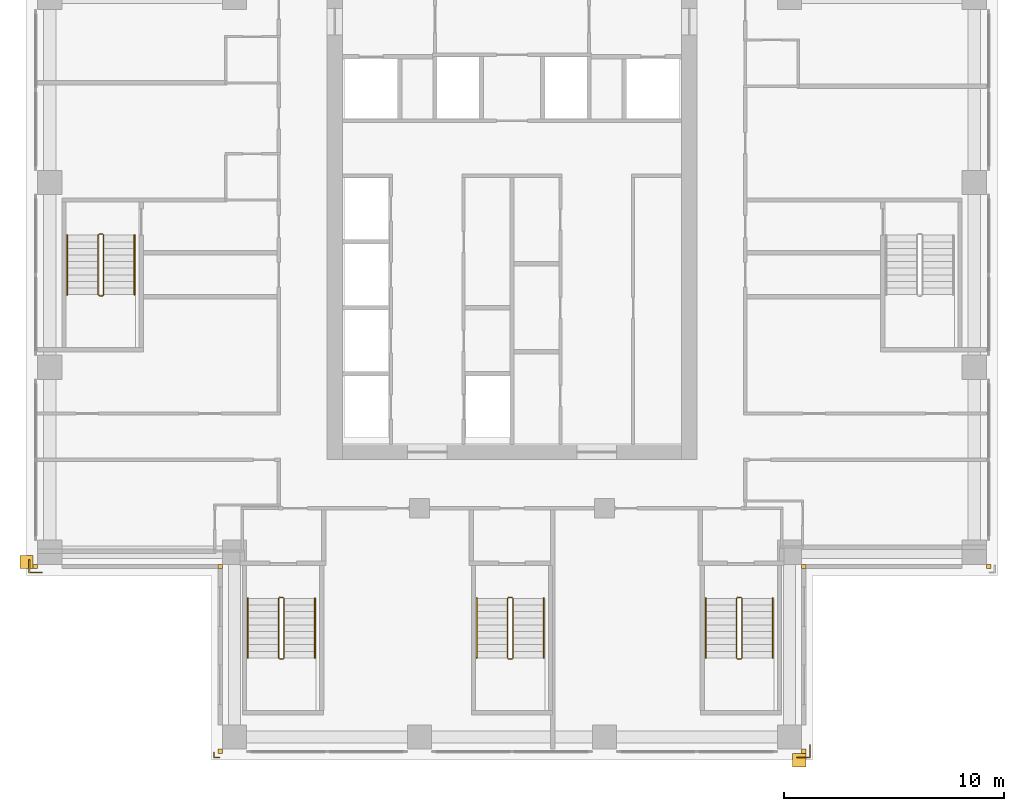
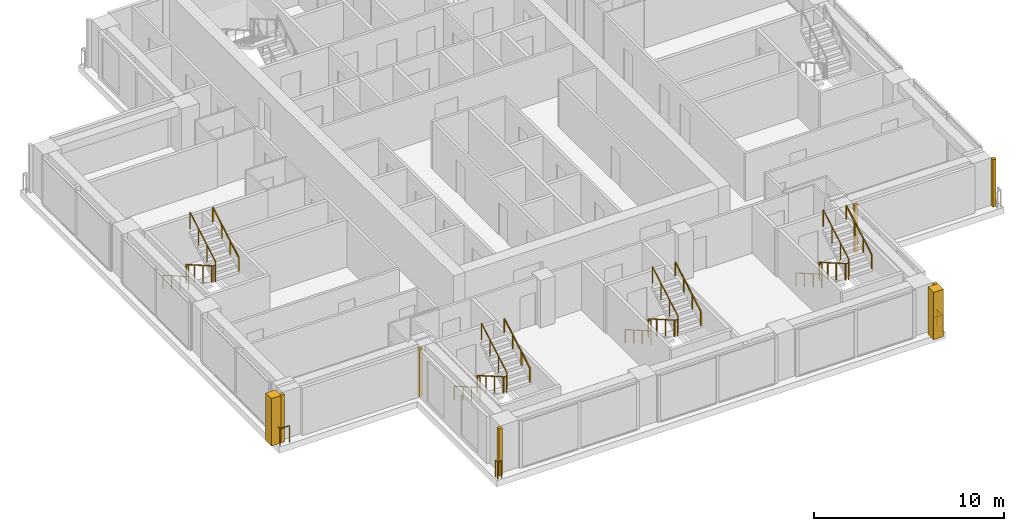
# One storey, part 14 of 16: 15 railings, 8 coverings.
"""IFC4 building model written with IfcOpenShell, lengths in metres."""

from ifc_helpers import new_model, si_unit, direction, frame, origin, origin_2d, place, context, subcontext, project, spatial, polyline, rectangle, outline, extrude, material, type_object, element, save


model = new_model("IFC4")

# Units and contexts
model_context = context("Model", 3, precision=1e-05, world=origin(), true_north=direction((0.0, 1.0)))
body_context = subcontext(model_context, "Body", "Model", "MODEL_VIEW")
ifc_project = project(units=[si_unit("LENGTHUNIT", "METRE"), si_unit("AREAUNIT", "SQUARE_METRE"), si_unit("VOLUMEUNIT", "CUBIC_METRE"), si_unit("PLANEANGLEUNIT", "RADIAN"), si_unit("MASSUNIT", "GRAM", prefix="KILO")], contexts=[model_context])

# Site, building, storey
site_placement = place(None, origin())
site = spatial("IfcSite", under=ifc_project, at=site_placement, CompositionType="ELEMENT")
building_placement = place(site_placement, origin())
building = spatial("IfcBuilding", under=site, at=building_placement, Name="Vermilion Ogive Tower", CompositionType="ELEMENT")
storey_placement = place(building_placement, frame((0.0, 0.0, 160.699951171875)))
storey = spatial("IfcBuildingStorey", under=building, at=storey_placement, Name="L41", CompositionType="ELEMENT", Elevation=160.699951171875)

# Railings
ifc_material_1 = material(Name="Stainless steel", Category="steel")
railing_type_1 = type_object("IfcRailingType", Name="Slab edge guard SG1", PredefinedType="GUARDRAIL", material=ifc_material_1)
railing_1_placement = place(storey_placement, frame((-13.300048828125, -21.929931640625, 0.0)))
element("IfcRailing", 1, at=railing_1_placement, inside=storey, type_object=railing_type_1, Name="L41 slab corner guard", PredefinedType="GUARDRAIL", context=body_context, shape_type="SweptSolid", body=[
    extrude(rectangle(XDim=0.050048828125, YDim=0.050048828125, at=origin_2d()), frame((0.0, 0.0, 1.0751953125), z_axis=(-1.0, 0.0, 0.0), x_axis=(0.0, -1.0, 0.0)), (0.0, 0.0, 1.0), 0.22998046875),
    extrude(rectangle(XDim=0.050048828125, YDim=0.050048828125, at=origin_2d()), frame((-0.22998046875, 0.0, 1.0751953125), z_axis=(0.0, 1.0, 0.0), x_axis=(-1.0, 0.0, 0.0)), (0.0, 0.0, 1.0), 0.22998046875),
    extrude(rectangle(XDim=0.050048828125, YDim=0.050048828125, at=origin_2d()), origin(), (0.0, 0.0, 1.0), 1.050048828125),
    extrude(rectangle(XDim=0.050048828125, YDim=0.050048828125, at=origin_2d()), frame((-0.22998046875, 0.0, 0.0)), (0.0, 0.0, 1.0), 1.050048828125),
    extrude(rectangle(XDim=0.050048828125, YDim=0.050048828125, at=origin_2d()), frame((-0.22998046875, 0.22998046875, 0.0)), (0.0, 0.0, 1.0), 1.050048828125),
])
railing_2_placement = place(storey_placement, frame((12.949951171875, -21.929931640625, 0.0)))
element("IfcRailing", 2, at=railing_2_placement, inside=storey, type_object=railing_type_1, Name="L41 slab corner guard", PredefinedType="GUARDRAIL", context=body_context, shape_type="SweptSolid", body=[
    extrude(rectangle(XDim=0.050048828125, YDim=0.050048828125, at=origin_2d()), frame((0.0, 0.0, 1.0751953125), z_axis=(1.0, 0.0, 0.0), x_axis=(0.0, 1.0, 0.0)), (0.0, 0.0, 1.0), 0.580078125),
    extrude(rectangle(XDim=0.050048828125, YDim=0.050048828125, at=origin_2d()), frame((0.580078125, 0.0, 1.0751953125), z_axis=(0.0, 1.0, 0.0), x_axis=(-1.0, 0.0, 0.0)), (0.0, 0.0, 1.0), 0.579833984375),
    extrude(rectangle(XDim=0.050048828125, YDim=0.050048828125, at=origin_2d()), origin(), (0.0, 0.0, 1.0), 1.050048828125),
    extrude(rectangle(XDim=0.050048828125, YDim=0.050048828125, at=origin_2d()), frame((0.580078125, 0.0, 0.0)), (0.0, 0.0, 1.0), 1.050048828125),
    extrude(rectangle(XDim=0.050048828125, YDim=0.050048828125, at=origin_2d()), frame((0.580078125, 0.579833984375, 0.0)), (0.0, 0.0, 1.0), 1.050048828125),
])
railing_3_placement = place(storey_placement, frame((-21.929931640625, -12.949951171875, 0.0)))
element("IfcRailing", 3, at=railing_3_placement, inside=storey, type_object=railing_type_1, Name="L41 slab corner guard", PredefinedType="GUARDRAIL", context=body_context, shape_type="SweptSolid", body=[
    extrude(rectangle(XDim=0.050048828125, YDim=0.050048828125, at=origin_2d()), frame((0.0, 0.0, 1.0751953125), z_axis=(0.0, -1.0, 0.0), x_axis=(1.0, 0.0, 0.0)), (0.0, 0.0, 1.0), 0.580078125),
    extrude(rectangle(XDim=0.050048828125, YDim=0.050048828125, at=origin_2d()), frame((0.0, -0.580078125, 1.0751953125), z_axis=(1.0, 0.0, 0.0), x_axis=(0.0, 1.0, 0.0)), (0.0, 0.0, 1.0), 0.579833984375),
    extrude(rectangle(XDim=0.050048828125, YDim=0.050048828125, at=origin_2d()), origin(), (0.0, 0.0, 1.0), 1.050048828125),
    extrude(rectangle(XDim=0.050048828125, YDim=0.050048828125, at=origin_2d()), frame((0.0, -0.580078125, 0.0)), (0.0, 0.0, 1.0), 1.050048828125),
    extrude(rectangle(XDim=0.050048828125, YDim=0.050048828125, at=origin_2d()), frame((0.579833984375, -0.580078125, 0.0)), (0.0, 0.0, 1.0), 1.050048828125),
])
ifc_material_2 = material(Name="Steel S355 painted", Category="steel")
railing_type_2 = type_object("IfcRailingType", Name="Stair guard 1100", PredefinedType="GUARDRAIL", material=ifc_material_2)
railing_4_placement = place(storey_placement, frame((-10.39990234375, -14.64990234375, 0.0)))
element("IfcRailing", 4, at=railing_4_placement, inside=storey, type_object=railing_type_2, Name="L41 ST3 stair guard 4", PredefinedType="GUARDRAIL", context=body_context, shape_type="SweptSolid", body=[
    extrude(rectangle(XDim=0.048095703125, YDim=0.048095703125, at=origin_2d()), frame((0.0, 0.0, 1.076171875), z_axis=(-1.0, 0.0, 0.0), x_axis=(0.0, -1.0, 0.0)), (0.0, 0.0, 1.0), 0.150146484375),
    extrude(rectangle(XDim=0.048095703125, YDim=0.048095703125, at=origin_2d()), frame((-0.150146484375, 0.0, 1.076171875), z_axis=(-0.268277960024, -0.268277960024, 0.925231793839), x_axis=(0.707106781187, -0.707106781187, 0.0)), (0.0, 0.0, 1.0), 0.1865234375),
    extrude(rectangle(XDim=0.048095703125, YDim=0.048095703125, at=origin_2d()), frame((-0.2001953125, -0.050048828125, 1.24853515625), z_axis=(0.0, -0.866903762492, 0.498475542607), x_axis=(1.0, 0.0, 0.0)), (0.0, 0.0, 1.0), 3.114501953125),
    extrude(rectangle(XDim=0.048095703125, YDim=0.048095703125, at=origin_2d()), frame((-0.2001953125, -2.75, 2.80126953125), z_axis=(0.707106781187, -0.707106781187, 0.0), x_axis=(0.707106781187, 0.707106781187, 0.0)), (0.0, 0.0, 1.0), 0.07080078125),
    extrude(rectangle(XDim=0.048095703125, YDim=0.048095703125, at=origin_2d()), frame((-0.150146484375, -2.800048828125, 2.80126953125), z_axis=(1.0, 0.0, 0.0), x_axis=(0.0, 1.0, 0.0)), (0.0, 0.0, 1.0), 0.150146484375),
    extrude(rectangle(XDim=0.048095703125, YDim=0.048095703125, at=origin_2d()), frame((0.0, -2.800048828125, 2.80126953125), z_axis=(0.267386790225, 0.268697509785, 0.925368009307), x_axis=(-0.708833529934, 0.705375805398, 0.0)), (0.0, 0.0, 1.0), 0.186279296875),
    extrude(rectangle(XDim=0.048095703125, YDim=0.048095703125, at=origin_2d()), frame((0.0498046875, -2.75, 2.9736328125), z_axis=(0.0, 0.866903762492, 0.498475542607), x_axis=(-1.0, 0.0, 0.0)), (0.0, 0.0, 1.0), 3.114501953125),
    extrude(rectangle(XDim=0.0419921875, YDim=0.0419921875, at=origin_2d()), origin(), (0.0, 0.0, 1.0), 1.052001953125),
    extrude(rectangle(XDim=0.0419921875, YDim=0.0419921875, at=origin_2d()), frame((-0.150146484375, 0.0, 0.0)), (0.0, 0.0, 1.0), 1.052001953125),
    extrude(rectangle(XDim=0.0419921875, YDim=0.0419921875, at=origin_2d()), frame((-0.2001953125, -0.050048828125, 0.172607421875)), (0.0, 0.0, 1.0), 1.052001953125),
    extrude(rectangle(XDim=0.0419921875, YDim=0.0419921875, at=origin_2d()), frame((-0.2001953125, -0.949951171875, 0.690185546875)), (0.0, 0.0, 1.0), 1.052001953125),
    extrude(rectangle(XDim=0.0419921875, YDim=0.0419921875, at=origin_2d()), frame((-0.2001953125, -1.85009765625, 1.20751953125)), (0.0, 0.0, 1.0), 1.052001953125),
    extrude(rectangle(XDim=0.0419921875, YDim=0.0419921875, at=origin_2d()), frame((-0.2001953125, -2.75, 1.72509765625)), (0.0, 0.0, 1.0), 1.052001953125),
    extrude(rectangle(XDim=0.0419921875, YDim=0.0419921875, at=origin_2d()), frame((-0.150146484375, -2.800048828125, 1.72509765625)), (0.0, 0.0, 1.0), 1.052001953125),
    extrude(rectangle(XDim=0.0419921875, YDim=0.0419921875, at=origin_2d()), frame((0.0, -2.800048828125, 1.72509765625)), (0.0, 0.0, 1.0), 1.052001953125),
    extrude(rectangle(XDim=0.0419921875, YDim=0.0419921875, at=origin_2d()), frame((0.0498046875, -2.75, 1.8974609375)), (0.0, 0.0, 1.0), 1.052001953125),
    extrude(rectangle(XDim=0.0419921875, YDim=0.0419921875, at=origin_2d()), frame((0.0498046875, -1.85009765625, 2.4150390625)), (0.0, 0.0, 1.0), 1.052001953125),
    extrude(rectangle(XDim=0.0419921875, YDim=0.0419921875, at=origin_2d()), frame((0.0498046875, -0.949951171875, 2.932373046875)), (0.0, 0.0, 1.0), 1.052001953125),
    extrude(rectangle(XDim=0.0419921875, YDim=0.0419921875, at=origin_2d()), frame((0.0498046875, -0.050048828125, 3.449951171875)), (0.0, 0.0, 1.0), 1.052001953125),
])
railing_5_placement = place(storey_placement, frame((0.0, -14.64990234375, 0.0)))
element("IfcRailing", 5, at=railing_5_placement, inside=storey, type_object=railing_type_2, Name="L41 ST4 stair guard 4", PredefinedType="GUARDRAIL", context=body_context, shape_type="SweptSolid", body=[
    extrude(rectangle(XDim=0.048095703125, YDim=0.048095703125, at=origin_2d()), frame((0.0, 0.0, 1.076171875), z_axis=(-1.0, 0.0, 0.0), x_axis=(0.0, -1.0, 0.0)), (0.0, 0.0, 1.0), 0.14990234375),
    extrude(rectangle(XDim=0.048095703125, YDim=0.048095703125, at=origin_2d()), frame((-0.14990234375, 0.0, 1.076171875), z_axis=(-0.268277960024, -0.268277960024, 0.925231793839), x_axis=(0.707106781187, -0.707106781187, 0.0)), (0.0, 0.0, 1.0), 0.1865234375),
    extrude(rectangle(XDim=0.048095703125, YDim=0.048095703125, at=origin_2d()), frame((-0.199951171875, -0.050048828125, 1.24853515625), z_axis=(0.0, -0.866903762492, 0.498475542607), x_axis=(1.0, 0.0, 0.0)), (0.0, 0.0, 1.0), 3.114501953125),
    extrude(rectangle(XDim=0.048095703125, YDim=0.048095703125, at=origin_2d()), frame((-0.199951171875, -2.75, 2.80126953125), z_axis=(0.707106781187, -0.707106781187, 0.0), x_axis=(0.707106781187, 0.707106781187, 0.0)), (0.0, 0.0, 1.0), 0.07080078125),
    extrude(rectangle(XDim=0.048095703125, YDim=0.048095703125, at=origin_2d()), frame((-0.14990234375, -2.800048828125, 2.80126953125), z_axis=(1.0, 0.0, 0.0), x_axis=(0.0, 1.0, 0.0)), (0.0, 0.0, 1.0), 0.14990234375),
    extrude(rectangle(XDim=0.048095703125, YDim=0.048095703125, at=origin_2d()), frame((0.0, -2.800048828125, 2.80126953125), z_axis=(0.268603158521, 0.268603158521, 0.925043072762), x_axis=(-0.707106781187, 0.707106781187, 0.0)), (0.0, 0.0, 1.0), 0.186279296875),
    extrude(rectangle(XDim=0.048095703125, YDim=0.048095703125, at=origin_2d()), frame((0.050048828125, -2.75, 2.9736328125), z_axis=(0.0, 0.866903762492, 0.498475542607), x_axis=(-1.0, 0.0, 0.0)), (0.0, 0.0, 1.0), 3.114501953125),
    extrude(rectangle(XDim=0.0419921875, YDim=0.0419921875, at=origin_2d()), origin(), (0.0, 0.0, 1.0), 1.052001953125),
    extrude(rectangle(XDim=0.0419921875, YDim=0.0419921875, at=origin_2d()), frame((-0.14990234375, 0.0, 0.0)), (0.0, 0.0, 1.0), 1.052001953125),
    extrude(rectangle(XDim=0.0419921875, YDim=0.0419921875, at=origin_2d()), frame((-0.199951171875, -0.050048828125, 0.172607421875)), (0.0, 0.0, 1.0), 1.052001953125),
    extrude(rectangle(XDim=0.0419921875, YDim=0.0419921875, at=origin_2d()), frame((-0.199951171875, -0.949951171875, 0.690185546875)), (0.0, 0.0, 1.0), 1.052001953125),
    extrude(rectangle(XDim=0.0419921875, YDim=0.0419921875, at=origin_2d()), frame((-0.199951171875, -1.85009765625, 1.20751953125)), (0.0, 0.0, 1.0), 1.052001953125),
    extrude(rectangle(XDim=0.0419921875, YDim=0.0419921875, at=origin_2d()), frame((-0.199951171875, -2.75, 1.72509765625)), (0.0, 0.0, 1.0), 1.052001953125),
    extrude(rectangle(XDim=0.0419921875, YDim=0.0419921875, at=origin_2d()), frame((-0.14990234375, -2.800048828125, 1.72509765625)), (0.0, 0.0, 1.0), 1.052001953125),
    extrude(rectangle(XDim=0.0419921875, YDim=0.0419921875, at=origin_2d()), frame((0.0, -2.800048828125, 1.72509765625)), (0.0, 0.0, 1.0), 1.052001953125),
    extrude(rectangle(XDim=0.0419921875, YDim=0.0419921875, at=origin_2d()), frame((0.050048828125, -2.75, 1.8974609375)), (0.0, 0.0, 1.0), 1.052001953125),
    extrude(rectangle(XDim=0.0419921875, YDim=0.0419921875, at=origin_2d()), frame((0.050048828125, -1.85009765625, 2.4150390625)), (0.0, 0.0, 1.0), 1.052001953125),
    extrude(rectangle(XDim=0.0419921875, YDim=0.0419921875, at=origin_2d()), frame((0.050048828125, -0.949951171875, 2.932373046875)), (0.0, 0.0, 1.0), 1.052001953125),
    extrude(rectangle(XDim=0.0419921875, YDim=0.0419921875, at=origin_2d()), frame((0.050048828125, -0.050048828125, 3.449951171875)), (0.0, 0.0, 1.0), 1.052001953125),
])
railing_6_placement = place(storey_placement, frame((10.39990234375, -14.64990234375, 0.0)))
element("IfcRailing", 6, at=railing_6_placement, inside=storey, type_object=railing_type_2, Name="L41 ST5 stair guard 4", PredefinedType="GUARDRAIL", context=body_context, shape_type="SweptSolid", body=[
    extrude(rectangle(XDim=0.048095703125, YDim=0.048095703125, at=origin_2d()), frame((0.0, 0.0, 1.076171875), z_axis=(-1.0, 0.0, 0.0), x_axis=(0.0, -1.0, 0.0)), (0.0, 0.0, 1.0), 0.14990234375),
    extrude(rectangle(XDim=0.048095703125, YDim=0.048095703125, at=origin_2d()), frame((-0.14990234375, 0.0, 1.076171875), z_axis=(-0.268277960024, -0.268277960024, 0.925231793839), x_axis=(0.707106781187, -0.707106781187, 0.0)), (0.0, 0.0, 1.0), 0.1865234375),
    extrude(rectangle(XDim=0.048095703125, YDim=0.048095703125, at=origin_2d()), frame((-0.199951171875, -0.050048828125, 1.24853515625), z_axis=(0.0, -0.866903762492, 0.498475542607), x_axis=(1.0, 0.0, 0.0)), (0.0, 0.0, 1.0), 3.114501953125),
    extrude(rectangle(XDim=0.048095703125, YDim=0.048095703125, at=origin_2d()), frame((-0.199951171875, -2.75, 2.80126953125), z_axis=(0.707106781187, -0.707106781187, 0.0), x_axis=(0.707106781187, 0.707106781187, 0.0)), (0.0, 0.0, 1.0), 0.07080078125),
    extrude(rectangle(XDim=0.048095703125, YDim=0.048095703125, at=origin_2d()), frame((-0.14990234375, -2.800048828125, 2.80126953125), z_axis=(1.0, 0.0, 0.0), x_axis=(0.0, 1.0, 0.0)), (0.0, 0.0, 1.0), 0.14990234375),
    extrude(rectangle(XDim=0.048095703125, YDim=0.048095703125, at=origin_2d()), frame((0.0, -2.800048828125, 2.80126953125), z_axis=(0.268603158521, 0.268603158521, 0.925043072762), x_axis=(-0.707106781187, 0.707106781187, 0.0)), (0.0, 0.0, 1.0), 0.186279296875),
    extrude(rectangle(XDim=0.048095703125, YDim=0.048095703125, at=origin_2d()), frame((0.050048828125, -2.75, 2.9736328125), z_axis=(0.0, 0.866903762492, 0.498475542607), x_axis=(-1.0, 0.0, 0.0)), (0.0, 0.0, 1.0), 3.114501953125),
    extrude(rectangle(XDim=0.0419921875, YDim=0.0419921875, at=origin_2d()), origin(), (0.0, 0.0, 1.0), 1.052001953125),
    extrude(rectangle(XDim=0.0419921875, YDim=0.0419921875, at=origin_2d()), frame((-0.14990234375, 0.0, 0.0)), (0.0, 0.0, 1.0), 1.052001953125),
    extrude(rectangle(XDim=0.0419921875, YDim=0.0419921875, at=origin_2d()), frame((-0.199951171875, -0.050048828125, 0.172607421875)), (0.0, 0.0, 1.0), 1.052001953125),
    extrude(rectangle(XDim=0.0419921875, YDim=0.0419921875, at=origin_2d()), frame((-0.199951171875, -0.949951171875, 0.690185546875)), (0.0, 0.0, 1.0), 1.052001953125),
    extrude(rectangle(XDim=0.0419921875, YDim=0.0419921875, at=origin_2d()), frame((-0.199951171875, -1.85009765625, 1.20751953125)), (0.0, 0.0, 1.0), 1.052001953125),
    extrude(rectangle(XDim=0.0419921875, YDim=0.0419921875, at=origin_2d()), frame((-0.199951171875, -2.75, 1.72509765625)), (0.0, 0.0, 1.0), 1.052001953125),
    extrude(rectangle(XDim=0.0419921875, YDim=0.0419921875, at=origin_2d()), frame((-0.14990234375, -2.800048828125, 1.72509765625)), (0.0, 0.0, 1.0), 1.052001953125),
    extrude(rectangle(XDim=0.0419921875, YDim=0.0419921875, at=origin_2d()), frame((0.0, -2.800048828125, 1.72509765625)), (0.0, 0.0, 1.0), 1.052001953125),
    extrude(rectangle(XDim=0.0419921875, YDim=0.0419921875, at=origin_2d()), frame((0.050048828125, -2.75, 1.8974609375)), (0.0, 0.0, 1.0), 1.052001953125),
    extrude(rectangle(XDim=0.0419921875, YDim=0.0419921875, at=origin_2d()), frame((0.050048828125, -1.85009765625, 2.4150390625)), (0.0, 0.0, 1.0), 1.052001953125),
    extrude(rectangle(XDim=0.0419921875, YDim=0.0419921875, at=origin_2d()), frame((0.050048828125, -0.949951171875, 2.932373046875)), (0.0, 0.0, 1.0), 1.052001953125),
    extrude(rectangle(XDim=0.0419921875, YDim=0.0419921875, at=origin_2d()), frame((0.050048828125, -0.050048828125, 3.449951171875)), (0.0, 0.0, 1.0), 1.052001953125),
])
railing_7_placement = place(storey_placement, frame((-18.60009765625, 1.85009765625, 0.0)))
element("IfcRailing", 7, at=railing_7_placement, inside=storey, type_object=railing_type_2, Name="L41 ST9 stair guard 4", PredefinedType="GUARDRAIL", context=body_context, shape_type="SweptSolid", body=[
    extrude(rectangle(XDim=0.048095703125, YDim=0.048095703125, at=origin_2d()), frame((0.0, 0.0, 1.076171875), z_axis=(-1.0, 0.0, 0.0), x_axis=(0.0, -1.0, 0.0)), (0.0, 0.0, 1.0), 0.14990234375),
    extrude(rectangle(XDim=0.048095703125, YDim=0.048095703125, at=origin_2d()), frame((-0.14990234375, 0.0, 1.076171875), z_axis=(-0.268277960024, -0.268277960024, 0.925231793839), x_axis=(0.707106781187, -0.707106781187, 0.0)), (0.0, 0.0, 1.0), 0.1865234375),
    extrude(rectangle(XDim=0.048095703125, YDim=0.048095703125, at=origin_2d()), frame((-0.199951171875, -0.050048828125, 1.24853515625), z_axis=(0.0, -0.866903762492, 0.498475542607), x_axis=(1.0, 0.0, 0.0)), (0.0, 0.0, 1.0), 3.114501953125),
    extrude(rectangle(XDim=0.048095703125, YDim=0.048095703125, at=origin_2d()), frame((-0.199951171875, -2.75, 2.80126953125), z_axis=(0.707106781187, -0.707106781187, 0.0), x_axis=(0.707106781187, 0.707106781187, 0.0)), (0.0, 0.0, 1.0), 0.07080078125),
    extrude(rectangle(XDim=0.048095703125, YDim=0.048095703125, at=origin_2d()), frame((-0.14990234375, -2.800048828125, 2.80126953125), z_axis=(1.0, 0.0, 0.0), x_axis=(0.0, 1.0, 0.0)), (0.0, 0.0, 1.0), 0.14990234375),
    extrude(rectangle(XDim=0.048095703125, YDim=0.048095703125, at=origin_2d()), frame((0.0, -2.800048828125, 2.80126953125), z_axis=(0.268603158521, 0.268603158521, 0.925043072762), x_axis=(-0.707106781187, 0.707106781187, 0.0)), (0.0, 0.0, 1.0), 0.186279296875),
    extrude(rectangle(XDim=0.048095703125, YDim=0.048095703125, at=origin_2d()), frame((0.050048828125, -2.75, 2.9736328125), z_axis=(0.0, 0.866903762492, 0.498475542607), x_axis=(-1.0, 0.0, 0.0)), (0.0, 0.0, 1.0), 3.114501953125),
    extrude(rectangle(XDim=0.0419921875, YDim=0.0419921875, at=origin_2d()), origin(), (0.0, 0.0, 1.0), 1.052001953125),
    extrude(rectangle(XDim=0.0419921875, YDim=0.0419921875, at=origin_2d()), frame((-0.14990234375, 0.0, 0.0)), (0.0, 0.0, 1.0), 1.052001953125),
    extrude(rectangle(XDim=0.0419921875, YDim=0.0419921875, at=origin_2d()), frame((-0.199951171875, -0.050048828125, 0.172607421875)), (0.0, 0.0, 1.0), 1.052001953125),
    extrude(rectangle(XDim=0.0419921875, YDim=0.0419921875, at=origin_2d()), frame((-0.199951171875, -0.949951171875, 0.690185546875)), (0.0, 0.0, 1.0), 1.052001953125),
    extrude(rectangle(XDim=0.0419921875, YDim=0.0419921875, at=origin_2d()), frame((-0.199951171875, -1.85009765625, 1.20751953125)), (0.0, 0.0, 1.0), 1.052001953125),
    extrude(rectangle(XDim=0.0419921875, YDim=0.0419921875, at=origin_2d()), frame((-0.199951171875, -2.75, 1.72509765625)), (0.0, 0.0, 1.0), 1.052001953125),
    extrude(rectangle(XDim=0.0419921875, YDim=0.0419921875, at=origin_2d()), frame((-0.14990234375, -2.800048828125, 1.72509765625)), (0.0, 0.0, 1.0), 1.052001953125),
    extrude(rectangle(XDim=0.0419921875, YDim=0.0419921875, at=origin_2d()), frame((0.0, -2.800048828125, 1.72509765625)), (0.0, 0.0, 1.0), 1.052001953125),
    extrude(rectangle(XDim=0.0419921875, YDim=0.0419921875, at=origin_2d()), frame((0.050048828125, -2.75, 1.8974609375)), (0.0, 0.0, 1.0), 1.052001953125),
    extrude(rectangle(XDim=0.0419921875, YDim=0.0419921875, at=origin_2d()), frame((0.050048828125, -1.85009765625, 2.4150390625)), (0.0, 0.0, 1.0), 1.052001953125),
    extrude(rectangle(XDim=0.0419921875, YDim=0.0419921875, at=origin_2d()), frame((0.050048828125, -0.949951171875, 2.932373046875)), (0.0, 0.0, 1.0), 1.052001953125),
    extrude(rectangle(XDim=0.0419921875, YDim=0.0419921875, at=origin_2d()), frame((0.050048828125, -0.050048828125, 3.449951171875)), (0.0, 0.0, 1.0), 1.052001953125),
])
ifc_material_3 = material(Name="Stainless steel", Category="steel")
railing_type_3 = type_object("IfcRailingType", Name="Stair handrail 900", PredefinedType="HANDRAIL", material=ifc_material_3)
railing_8_placement = place(storey_placement, frame((-12.0, -14.699951171875, 0.172607421875)))
element("IfcRailing", 8, at=railing_8_placement, inside=storey, type_object=railing_type_3, Name="L41 ST3 stair handrail 1", PredefinedType="HANDRAIL", context=body_context, shape_type="SweptSolid", body=[
    extrude(rectangle(XDim=0.048095703125, YDim=0.048095703125, at=origin_2d()), frame((0.0, 0.0, 0.8759765625), z_axis=(0.0, -0.866903762492, 0.498475542607), x_axis=(1.0, 0.0, 0.0)), (0.0, 0.0, 1.0), 3.114501953125),
    extrude(rectangle(XDim=0.0419921875, YDim=0.0419921875, at=origin_2d()), origin(), (0.0, 0.0, 1.0), 0.851806640625),
    extrude(rectangle(XDim=0.0419921875, YDim=0.0419921875, at=origin_2d()), frame((0.0, -0.89990234375, 0.517578125)), (0.0, 0.0, 1.0), 0.851806640625),
    extrude(rectangle(XDim=0.0419921875, YDim=0.0419921875, at=origin_2d()), frame((0.0, -1.800048828125, 1.034912109375)), (0.0, 0.0, 1.0), 0.851806640625),
    extrude(rectangle(XDim=0.0419921875, YDim=0.0419921875, at=origin_2d()), frame((0.0, -2.699951171875, 1.552490234375)), (0.0, 0.0, 1.0), 0.851806640625),
])
railing_9_placement = place(storey_placement, frame((-8.949951171875, -17.39990234375, 1.8974609375)))
element("IfcRailing", 9, at=railing_9_placement, inside=storey, type_object=railing_type_3, Name="L41 ST3 stair handrail 2", PredefinedType="HANDRAIL", context=body_context, shape_type="SweptSolid", body=[
    extrude(rectangle(XDim=0.048095703125, YDim=0.048095703125, at=origin_2d()), frame((0.0, 0.0, 0.8759765625), z_axis=(0.0, 0.866903762492, 0.498475542607), x_axis=(-1.0, 0.0, 0.0)), (0.0, 0.0, 1.0), 3.114501953125),
    extrude(rectangle(XDim=0.0419921875, YDim=0.0419921875, at=origin_2d()), origin(), (0.0, 0.0, 1.0), 0.851806640625),
    extrude(rectangle(XDim=0.0419921875, YDim=0.0419921875, at=origin_2d()), frame((0.0, 0.89990234375, 0.517578125)), (0.0, 0.0, 1.0), 0.851806640625),
    extrude(rectangle(XDim=0.0419921875, YDim=0.0419921875, at=origin_2d()), frame((0.0, 1.800048828125, 1.034912109375)), (0.0, 0.0, 1.0), 0.851806640625),
    extrude(rectangle(XDim=0.0419921875, YDim=0.0419921875, at=origin_2d()), frame((0.0, 2.699951171875, 1.552490234375)), (0.0, 0.0, 1.0), 0.851806640625),
])
railing_10_placement = place(storey_placement, frame((-1.60009765625, -14.699951171875, 0.172607421875)))
element("IfcRailing", 10, at=railing_10_placement, inside=storey, type_object=railing_type_3, Name="L41 ST4 stair handrail 1", PredefinedType="HANDRAIL", context=body_context, shape_type="SweptSolid", body=[
    extrude(rectangle(XDim=0.048095703125, YDim=0.048095703125, at=origin_2d()), frame((0.0, 0.0, 0.8759765625), z_axis=(0.0, -0.866903762492, 0.498475542607), x_axis=(1.0, 0.0, 0.0)), (0.0, 0.0, 1.0), 3.114501953125),
    extrude(rectangle(XDim=0.0419921875, YDim=0.0419921875, at=origin_2d()), origin(), (0.0, 0.0, 1.0), 0.851806640625),
    extrude(rectangle(XDim=0.0419921875, YDim=0.0419921875, at=origin_2d()), frame((0.0, -0.89990234375, 0.517578125)), (0.0, 0.0, 1.0), 0.851806640625),
    extrude(rectangle(XDim=0.0419921875, YDim=0.0419921875, at=origin_2d()), frame((0.0, -1.800048828125, 1.034912109375)), (0.0, 0.0, 1.0), 0.851806640625),
    extrude(rectangle(XDim=0.0419921875, YDim=0.0419921875, at=origin_2d()), frame((0.0, -2.699951171875, 1.552490234375)), (0.0, 0.0, 1.0), 0.851806640625),
])
railing_11_placement = place(storey_placement, frame((1.449951171875, -17.39990234375, 1.8974609375)))
element("IfcRailing", 11, at=railing_11_placement, inside=storey, type_object=railing_type_3, Name="L41 ST4 stair handrail 2", PredefinedType="HANDRAIL", context=body_context, shape_type="SweptSolid", body=[
    extrude(rectangle(XDim=0.048095703125, YDim=0.048095703125, at=origin_2d()), frame((0.0, 0.0, 0.8759765625), z_axis=(0.0, 0.866903762492, 0.498475542607), x_axis=(-1.0, 0.0, 0.0)), (0.0, 0.0, 1.0), 3.114501953125),
    extrude(rectangle(XDim=0.0419921875, YDim=0.0419921875, at=origin_2d()), origin(), (0.0, 0.0, 1.0), 0.851806640625),
    extrude(rectangle(XDim=0.0419921875, YDim=0.0419921875, at=origin_2d()), frame((0.0, 0.89990234375, 0.517578125)), (0.0, 0.0, 1.0), 0.851806640625),
    extrude(rectangle(XDim=0.0419921875, YDim=0.0419921875, at=origin_2d()), frame((0.0, 1.800048828125, 1.034912109375)), (0.0, 0.0, 1.0), 0.851806640625),
    extrude(rectangle(XDim=0.0419921875, YDim=0.0419921875, at=origin_2d()), frame((0.0, 2.699951171875, 1.552490234375)), (0.0, 0.0, 1.0), 0.851806640625),
])
railing_12_placement = place(storey_placement, frame((8.800048828125, -14.699951171875, 0.172607421875)))
element("IfcRailing", 12, at=railing_12_placement, inside=storey, type_object=railing_type_3, Name="L41 ST5 stair handrail 1", PredefinedType="HANDRAIL", context=body_context, shape_type="SweptSolid", body=[
    extrude(rectangle(XDim=0.048095703125, YDim=0.048095703125, at=origin_2d()), frame((0.0, 0.0, 0.8759765625), z_axis=(0.0, -0.866903762492, 0.498475542607), x_axis=(1.0, 0.0, 0.0)), (0.0, 0.0, 1.0), 3.114501953125),
    extrude(rectangle(XDim=0.0419921875, YDim=0.0419921875, at=origin_2d()), origin(), (0.0, 0.0, 1.0), 0.851806640625),
    extrude(rectangle(XDim=0.0419921875, YDim=0.0419921875, at=origin_2d()), frame((0.0, -0.89990234375, 0.517578125)), (0.0, 0.0, 1.0), 0.851806640625),
    extrude(rectangle(XDim=0.0419921875, YDim=0.0419921875, at=origin_2d()), frame((0.0, -1.800048828125, 1.034912109375)), (0.0, 0.0, 1.0), 0.851806640625),
    extrude(rectangle(XDim=0.0419921875, YDim=0.0419921875, at=origin_2d()), frame((0.0, -2.699951171875, 1.552490234375)), (0.0, 0.0, 1.0), 0.851806640625),
])
railing_13_placement = place(storey_placement, frame((11.85009765625, -17.39990234375, 1.8974609375)))
element("IfcRailing", 13, at=railing_13_placement, inside=storey, type_object=railing_type_3, Name="L41 ST5 stair handrail 2", PredefinedType="HANDRAIL", context=body_context, shape_type="SweptSolid", body=[
    extrude(rectangle(XDim=0.048095703125, YDim=0.048095703125, at=origin_2d()), frame((0.0, 0.0, 0.8759765625), z_axis=(0.0, 0.866903762492, 0.498475542607), x_axis=(-1.0, 0.0, 0.0)), (0.0, 0.0, 1.0), 3.114501953125),
    extrude(rectangle(XDim=0.0419921875, YDim=0.0419921875, at=origin_2d()), origin(), (0.0, 0.0, 1.0), 0.851806640625),
    extrude(rectangle(XDim=0.0419921875, YDim=0.0419921875, at=origin_2d()), frame((0.0, 0.89990234375, 0.517578125)), (0.0, 0.0, 1.0), 0.851806640625),
    extrude(rectangle(XDim=0.0419921875, YDim=0.0419921875, at=origin_2d()), frame((0.0, 1.800048828125, 1.034912109375)), (0.0, 0.0, 1.0), 0.851806640625),
    extrude(rectangle(XDim=0.0419921875, YDim=0.0419921875, at=origin_2d()), frame((0.0, 2.699951171875, 1.552490234375)), (0.0, 0.0, 1.0), 0.851806640625),
])
railing_14_placement = place(storey_placement, frame((-20.199951171875, 1.800048828125, 0.172607421875)))
element("IfcRailing", 14, at=railing_14_placement, inside=storey, type_object=railing_type_3, Name="L41 ST9 stair handrail 1", PredefinedType="HANDRAIL", context=body_context, shape_type="SweptSolid", body=[
    extrude(rectangle(XDim=0.048095703125, YDim=0.048095703125, at=origin_2d()), frame((0.0, 0.0, 0.8759765625), z_axis=(0.0, -0.866903762492, 0.498475542607), x_axis=(1.0, 0.0, 0.0)), (0.0, 0.0, 1.0), 3.114501953125),
    extrude(rectangle(XDim=0.0419921875, YDim=0.0419921875, at=origin_2d()), origin(), (0.0, 0.0, 1.0), 0.851806640625),
    extrude(rectangle(XDim=0.0419921875, YDim=0.0419921875, at=origin_2d()), frame((0.0, -0.89990234375, 0.517578125)), (0.0, 0.0, 1.0), 0.851806640625),
    extrude(rectangle(XDim=0.0419921875, YDim=0.0419921875, at=origin_2d()), frame((0.0, -1.800048828125, 1.034912109375)), (0.0, 0.0, 1.0), 0.851806640625),
    extrude(rectangle(XDim=0.0419921875, YDim=0.0419921875, at=origin_2d()), frame((0.0, -2.699951171875, 1.552490234375)), (0.0, 0.0, 1.0), 0.851806640625),
])
railing_15_placement = place(storey_placement, frame((-17.14990234375, -0.89990234375, 1.8974609375)))
element("IfcRailing", 15, at=railing_15_placement, inside=storey, type_object=railing_type_3, Name="L41 ST9 stair handrail 2", PredefinedType="HANDRAIL", context=body_context, shape_type="SweptSolid", body=[
    extrude(rectangle(XDim=0.048095703125, YDim=0.048095703125, at=origin_2d()), frame((0.0, 0.0, 0.8759765625), z_axis=(0.0, 0.866903762492, 0.498475542607), x_axis=(-1.0, 0.0, 0.0)), (0.0, 0.0, 1.0), 3.114501953125),
    extrude(rectangle(XDim=0.0419921875, YDim=0.0419921875, at=origin_2d()), origin(), (0.0, 0.0, 1.0), 0.851806640625),
    extrude(rectangle(XDim=0.0419921875, YDim=0.0419921875, at=origin_2d()), frame((0.0, 0.89990234375, 0.517578125)), (0.0, 0.0, 1.0), 0.851806640625),
    extrude(rectangle(XDim=0.0419921875, YDim=0.0419921875, at=origin_2d()), frame((0.0, 1.800048828125, 1.034912109375)), (0.0, 0.0, 1.0), 0.851806640625),
    extrude(rectangle(XDim=0.0419921875, YDim=0.0419921875, at=origin_2d()), frame((0.0, 2.699951171875, 1.552490234375)), (0.0, 0.0, 1.0), 0.851806640625),
])

# Coverings
ifc_material_4 = material(Name="Stone cladding", Category="masonry")
covering_type_1 = type_object("IfcCoveringType", Name="Stone corner buttress", PredefinedType="CLADDING", material=ifc_material_4)
covering_1_placement = place(storey_placement, origin())
element("IfcCovering", 16, at=covering_1_placement, inside=storey, type_object=covering_type_1, Name="Stone crease pier SK", PredefinedType="CLADDING", context=body_context, shape_type="SweptSolid", body=[
    extrude(outline(polyline([(12.75, -22.35009765625), (13.35009765625, -22.35009765625), (13.35009765625, -21.75), (12.75, -21.75), (12.75, -22.35009765625)])), origin(), (0.0, 0.0, 1.0), 3.050048828125),
])
covering_2_placement = place(storey_placement, origin())
element("IfcCovering", 17, at=covering_2_placement, inside=storey, type_object=covering_type_1, Name="Stone crease pier WK", PredefinedType="CLADDING", context=body_context, shape_type="SweptSolid", body=[
    extrude(outline(polyline([(-22.35009765625, -12.75), (-22.35009765625, -13.35009765625), (-21.75, -13.35009765625), (-21.75, -12.75), (-22.35009765625, -12.75)])), origin(), (0.0, 0.0, 1.0), 3.050048828125),
])
ifc_material_5 = material(Name="Stone cladding", Category="masonry")
covering_type_2 = type_object("IfcCoveringType", Name="Stone pier", PredefinedType="CLADDING", material=ifc_material_5)
covering_3_placement = place(storey_placement, origin())
element("IfcCovering", 18, at=covering_3_placement, inside=storey, type_object=covering_type_2, Name="Stone corner pier SE1", PredefinedType="CLADDING", context=body_context, shape_type="SweptSolid", body=[
    extrude(outline(polyline([(13.14990234375, -21.75), (13.14990234375, -21.550048828125), (13.35009765625, -21.550048828125), (13.35009765625, -21.75), (13.14990234375, -21.75)])), origin(), (0.0, 0.0, 1.0), 3.050048828125),
])
covering_4_placement = place(storey_placement, origin())
element("IfcCovering", 19, at=covering_4_placement, inside=storey, type_object=covering_type_2, Name="Stone corner pier X1E1", PredefinedType="CLADDING", context=body_context, shape_type="SweptSolid", body=[
    extrude(outline(polyline([(13.14990234375, -13.14990234375), (13.35009765625, -13.14990234375), (13.35009765625, -13.35009765625), (13.14990234375, -13.35009765625), (13.14990234375, -13.14990234375)])), origin(), (0.0, 0.0, 1.0), 3.050048828125),
])
covering_5_placement = place(storey_placement, origin())
element("IfcCovering", 20, at=covering_5_placement, inside=storey, type_object=covering_type_2, Name="Stone corner pier X2E1", PredefinedType="CLADDING", context=body_context, shape_type="SweptSolid", body=[
    extrude(outline(polyline([(21.550048828125, -13.35009765625), (21.550048828125, -13.14990234375), (21.75, -13.14990234375), (21.75, -13.35009765625), (21.550048828125, -13.35009765625)])), origin(), (0.0, 0.0, 1.0), 3.050048828125),
])
covering_6_placement = place(storey_placement, origin())
element("IfcCovering", 21, at=covering_6_placement, inside=storey, type_object=covering_type_2, Name="Stone corner pier WE1", PredefinedType="CLADDING", context=body_context, shape_type="SweptSolid", body=[
    extrude(outline(polyline([(-21.75, -13.14990234375), (-21.550048828125, -13.14990234375), (-21.550048828125, -13.35009765625), (-21.75, -13.35009765625), (-21.75, -13.14990234375)])), origin(), (0.0, 0.0, 1.0), 3.050048828125),
])
covering_7_placement = place(storey_placement, origin())
element("IfcCovering", 22, at=covering_7_placement, inside=storey, type_object=covering_type_2, Name="Stone corner pier X7E1", PredefinedType="CLADDING", context=body_context, shape_type="SweptSolid", body=[
    extrude(outline(polyline([(-13.14990234375, -13.14990234375), (-13.14990234375, -13.35009765625), (-13.35009765625, -13.35009765625), (-13.35009765625, -13.14990234375), (-13.14990234375, -13.14990234375)])), origin(), (0.0, 0.0, 1.0), 3.050048828125),
])
covering_8_placement = place(storey_placement, origin())
element("IfcCovering", 23, at=covering_8_placement, inside=storey, type_object=covering_type_2, Name="Stone corner pier X8E1", PredefinedType="CLADDING", context=body_context, shape_type="SweptSolid", body=[
    extrude(outline(polyline([(-13.35009765625, -21.550048828125), (-13.14990234375, -21.550048828125), (-13.14990234375, -21.75), (-13.35009765625, -21.75), (-13.35009765625, -21.550048828125)])), origin(), (0.0, 0.0, 1.0), 3.050048828125),
])

save(model, "model.ifc")
